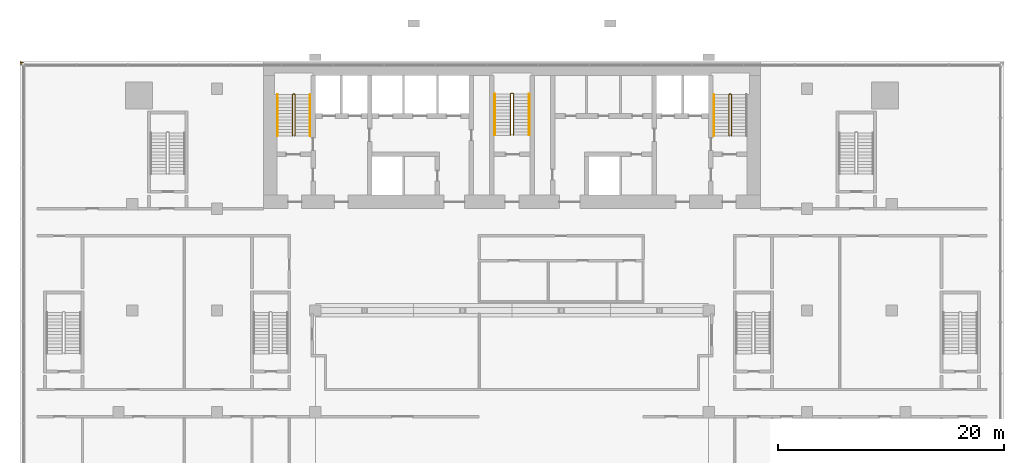
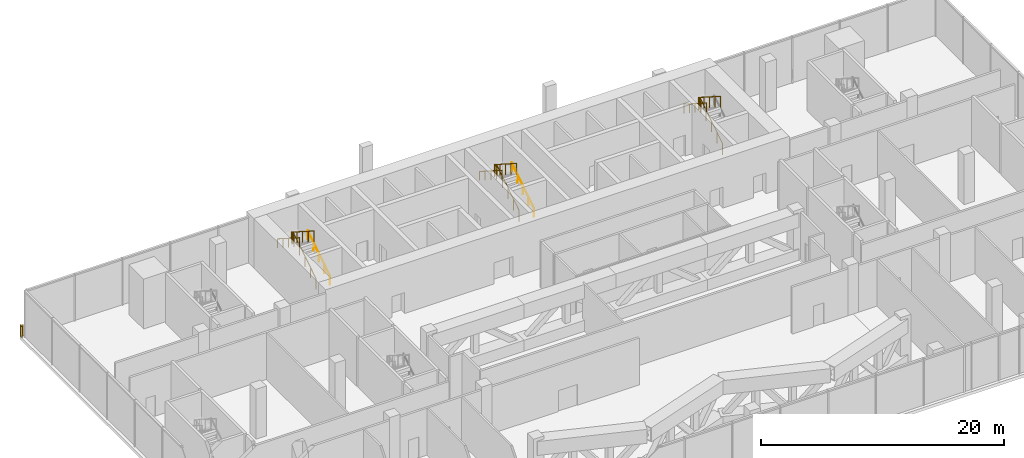
# One storey, part 21 of 22: 9 railings.
"""IFC4 building model written with IfcOpenShell, lengths in metres."""

from ifc_helpers import new_model, si_unit, direction, frame, origin, origin_2d, place, context, subcontext, project, spatial, circle, extrude, material, type_object, element, save


model = new_model("IFC4")

# Units and contexts
model_context = context("Model", 3, precision=1e-05, world=origin(), true_north=direction((0.0, 1.0)))
body_context = subcontext(model_context, "Body", "Model", "MODEL_VIEW")
ifc_project = project(units=[si_unit("LENGTHUNIT", "METRE"), si_unit("AREAUNIT", "SQUARE_METRE"), si_unit("VOLUMEUNIT", "CUBIC_METRE"), si_unit("PLANEANGLEUNIT", "RADIAN"), si_unit("MASSUNIT", "GRAM", prefix="KILO")], contexts=[model_context])

# Site, building, storey
site_placement = place(None, origin())
site = spatial("IfcSite", under=ifc_project, at=site_placement, CompositionType="ELEMENT")
building_placement = place(site_placement, origin())
building = spatial("IfcBuilding", under=site, at=building_placement, Name="Bicima Exchange Tower", CompositionType="ELEMENT")
storey_placement = place(building_placement, frame((0.0, 0.0, 20.0)))
storey = spatial("IfcBuildingStorey", under=building, at=storey_placement, Name="L03", CompositionType="ELEMENT", Elevation=20.0)

# Railings
ifc_material_1 = material(Name="Stainless steel and bonded safety glass", Category="steel")
railing_type_1 = type_object("IfcRailingType", Name="Edge guard 1100", PredefinedType="GUARDRAIL", material=ifc_material_1)
railing_1_placement = place(storey_placement, frame((-43.449951171875, -0.25, 0.0)))
element("IfcRailing", 1, at=railing_1_placement, inside=storey, type_object=railing_type_1, Name="Edge guard L03 9", PredefinedType="GUARDRAIL", context=body_context, shape_type="SweptSolid", body=[
    extrude(circle(Radius=0.02392578125, at=origin_2d()), frame((0.0, 0.0, 1.076171875), z_axis=(0.0, 1.0, 0.0), x_axis=(-1.0, 0.0, 0.0)), (0.0, 0.0, 1.0), 0.25),
    extrude(circle(Radius=0.02392578125, at=origin_2d()), frame((0.0, 0.25, 1.076171875), z_axis=(-0.707106781187, -0.707106781187, 0.0), x_axis=(0.707106781187, -0.707106781187, 0.0)), (0.0, 0.0, 1.0), 0.07080078125),
    extrude(circle(Radius=0.02392578125, at=origin_2d()), frame((-0.050048828125, 0.199951171875, 1.076171875), z_axis=(1.0, 0.0, 0.0), x_axis=(0.0, 1.0, 0.0)), (0.0, 0.0, 1.0), 0.25),
    extrude(circle(Radius=0.02099609375, at=origin_2d()), origin(), (0.0, 0.0, 1.0), 1.052001953125),
    extrude(circle(Radius=0.02099609375, at=origin_2d()), frame((0.0, 0.25, 0.0)), (0.0, 0.0, 1.0), 1.052001953125),
    extrude(circle(Radius=0.02099609375, at=origin_2d()), frame((-0.050048828125, 0.199951171875, 0.0)), (0.0, 0.0, 1.0), 1.052001953125),
    extrude(circle(Radius=0.02099609375, at=origin_2d()), frame((0.199951171875, 0.199951171875, 0.0)), (0.0, 0.0, 1.0), 1.052001953125),
])
ifc_material_2 = material(Name="Stainless steel", Category="steel")
railing_type_2 = type_object("IfcRailingType", Name="Stair guard 1100", PredefinedType="GUARDRAIL", material=ifc_material_2)
railing_2_placement = place(storey_placement, frame((-19.199951171875, -6.550048828125, 0.178466796875)))
element("IfcRailing", 2, at=railing_2_placement, inside=storey, type_object=railing_type_2, Name="L03 ST-W stair guard 1", PredefinedType="GUARDRAIL", context=body_context, shape_type="SweptSolid", body=[
    extrude(circle(Radius=0.02392578125, at=origin_2d()), frame((0.0, 0.0, 1.076171875), z_axis=(0.0, 0.843127859045, 0.537713132908), x_axis=(-1.0, 0.0, 0.0)), (0.0, 0.0, 1.0), 4.3173828125),
    extrude(circle(Radius=0.02392578125, at=origin_2d()), frame((0.0, 3.64013671875, 3.3974609375), z_axis=(-0.708833529934, 0.705375805398, 0.0), x_axis=(-0.705375805398, -0.708833529934, 0.0)), (0.0, 0.0, 1.0), 0.070556640625),
    extrude(circle(Radius=0.02392578125, at=origin_2d()), frame((-0.050048828125, 3.68994140625, 3.3974609375), z_axis=(-1.0, 0.0, 0.0), x_axis=(0.0, -1.0, 0.0)), (0.0, 0.0, 1.0), 0.10009765625),
    extrude(circle(Radius=0.02392578125, at=origin_2d()), frame((-0.150146484375, 3.68994140625, 3.3974609375), z_axis=(-0.259584636361, -0.259584636361, 0.930178280294), x_axis=(0.707106781187, -0.707106781187, 0.0)), (0.0, 0.0, 1.0), 0.19189453125),
    extrude(circle(Radius=0.02392578125, at=origin_2d()), frame((-0.199951171875, 3.64013671875, 3.576171875), z_axis=(0.0, -0.843127859045, 0.537713132908), x_axis=(1.0, 0.0, 0.0)), (0.0, 0.0, 1.0), 4.3173828125),
    extrude(circle(Radius=0.02099609375, at=origin_2d()), origin(), (0.0, 0.0, 1.0), 1.052001953125),
    extrude(circle(Radius=0.02099609375, at=origin_2d()), frame((0.0, 0.91015625, 0.580322265625)), (0.0, 0.0, 1.0), 1.052001953125),
    extrude(circle(Radius=0.02099609375, at=origin_2d()), frame((0.0, 1.820068359375, 1.16064453125)), (0.0, 0.0, 1.0), 1.052001953125),
    extrude(circle(Radius=0.02099609375, at=origin_2d()), frame((0.0, 2.72998046875, 1.7412109375)), (0.0, 0.0, 1.0), 1.052001953125),
    extrude(circle(Radius=0.02099609375, at=origin_2d()), frame((0.0, 3.64013671875, 2.321533203125)), (0.0, 0.0, 1.0), 1.052001953125),
    extrude(circle(Radius=0.02099609375, at=origin_2d()), frame((-0.050048828125, 3.68994140625, 2.321533203125)), (0.0, 0.0, 1.0), 1.052001953125),
    extrude(circle(Radius=0.02099609375, at=origin_2d()), frame((-0.150146484375, 3.68994140625, 2.321533203125)), (0.0, 0.0, 1.0), 1.052001953125),
    extrude(circle(Radius=0.02099609375, at=origin_2d()), frame((-0.199951171875, 3.64013671875, 2.5)), (0.0, 0.0, 1.0), 1.052001953125),
    extrude(circle(Radius=0.02099609375, at=origin_2d()), frame((-0.199951171875, 2.72998046875, 3.080322265625)), (0.0, 0.0, 1.0), 1.052001953125),
    extrude(circle(Radius=0.02099609375, at=origin_2d()), frame((-0.199951171875, 1.820068359375, 3.66064453125)), (0.0, 0.0, 1.0), 1.052001953125),
    extrude(circle(Radius=0.02099609375, at=origin_2d()), frame((-0.199951171875, 0.91015625, 4.2412109375)), (0.0, 0.0, 1.0), 1.052001953125),
    extrude(circle(Radius=0.02099609375, at=origin_2d()), frame((-0.199951171875, 0.0, 4.821533203125)), (0.0, 0.0, 1.0), 1.052001953125),
])
railing_3_placement = place(storey_placement, frame((0.125, -6.5, 0.178466796875)))
element("IfcRailing", 3, at=railing_3_placement, inside=storey, type_object=railing_type_2, Name="L03 ST-C stair guard 1", PredefinedType="GUARDRAIL", context=body_context, shape_type="SweptSolid", body=[
    extrude(circle(Radius=0.02392578125, at=origin_2d()), frame((0.0, 0.0, 1.076171875), z_axis=(0.0, 0.843111507901, 0.53773877045), x_axis=(-1.0, 0.0, 0.0)), (0.0, 0.0, 1.0), 4.317138671875),
    extrude(circle(Radius=0.02392578125, at=origin_2d()), frame((0.0, 3.639892578125, 3.3974609375), z_axis=(-0.707106781187, 0.707106781187, 0.0), x_axis=(-0.707106781187, -0.707106781187, 0.0)), (0.0, 0.0, 1.0), 0.07080078125),
    extrude(circle(Radius=0.02392578125, at=origin_2d()), frame((-0.050048828125, 3.68994140625, 3.3974609375), z_axis=(-1.0, 0.0, 0.0), x_axis=(0.0, -1.0, 0.0)), (0.0, 0.0, 1.0), 0.14990234375),
    extrude(circle(Radius=0.02392578125, at=origin_2d()), frame((-0.199951171875, 3.68994140625, 3.3974609375), z_axis=(-0.260684529273, -0.260684529273, 0.929562882432), x_axis=(0.707106781187, -0.707106781187, 0.0)), (0.0, 0.0, 1.0), 0.19189453125),
    extrude(circle(Radius=0.02392578125, at=origin_2d()), frame((-0.25, 3.639892578125, 3.576171875), z_axis=(0.0, -0.843111507901, 0.53773877045), x_axis=(1.0, 0.0, 0.0)), (0.0, 0.0, 1.0), 4.317138671875),
    extrude(circle(Radius=0.02099609375, at=origin_2d()), origin(), (0.0, 0.0, 1.0), 1.052001953125),
    extrude(circle(Radius=0.02099609375, at=origin_2d()), frame((0.0, 0.909912109375, 0.580322265625)), (0.0, 0.0, 1.0), 1.052001953125),
    extrude(circle(Radius=0.02099609375, at=origin_2d()), frame((0.0, 1.81982421875, 1.16064453125)), (0.0, 0.0, 1.0), 1.052001953125),
    extrude(circle(Radius=0.02099609375, at=origin_2d()), frame((0.0, 2.72998046875, 1.7412109375)), (0.0, 0.0, 1.0), 1.052001953125),
    extrude(circle(Radius=0.02099609375, at=origin_2d()), frame((0.0, 3.639892578125, 2.321533203125)), (0.0, 0.0, 1.0), 1.052001953125),
    extrude(circle(Radius=0.02099609375, at=origin_2d()), frame((-0.050048828125, 3.68994140625, 2.321533203125)), (0.0, 0.0, 1.0), 1.052001953125),
    extrude(circle(Radius=0.02099609375, at=origin_2d()), frame((-0.199951171875, 3.68994140625, 2.321533203125)), (0.0, 0.0, 1.0), 1.052001953125),
    extrude(circle(Radius=0.02099609375, at=origin_2d()), frame((-0.25, 3.639892578125, 2.5)), (0.0, 0.0, 1.0), 1.052001953125),
    extrude(circle(Radius=0.02099609375, at=origin_2d()), frame((-0.25, 2.72998046875, 3.080322265625)), (0.0, 0.0, 1.0), 1.052001953125),
    extrude(circle(Radius=0.02099609375, at=origin_2d()), frame((-0.25, 1.81982421875, 3.66064453125)), (0.0, 0.0, 1.0), 1.052001953125),
    extrude(circle(Radius=0.02099609375, at=origin_2d()), frame((-0.25, 0.909912109375, 4.2412109375)), (0.0, 0.0, 1.0), 1.052001953125),
    extrude(circle(Radius=0.02099609375, at=origin_2d()), frame((-0.25, 0.0, 4.821533203125)), (0.0, 0.0, 1.0), 1.052001953125),
])
railing_4_placement = place(storey_placement, frame((19.39990234375, -6.550048828125, 0.178466796875)))
element("IfcRailing", 4, at=railing_4_placement, inside=storey, type_object=railing_type_2, Name="L03 ST-E stair guard 1", PredefinedType="GUARDRAIL", context=body_context, shape_type="SweptSolid", body=[
    extrude(circle(Radius=0.02392578125, at=origin_2d()), frame((0.0, 0.0, 1.076171875), z_axis=(0.0, 0.843127859045, 0.537713132908), x_axis=(-1.0, 0.0, 0.0)), (0.0, 0.0, 1.0), 4.3173828125),
    extrude(circle(Radius=0.02392578125, at=origin_2d()), frame((0.0, 3.64013671875, 3.3974609375), z_axis=(-0.707106781187, 0.707106781187, 0.0), x_axis=(-0.707106781187, -0.707106781187, 0.0)), (0.0, 0.0, 1.0), 0.0703125),
    extrude(circle(Radius=0.02392578125, at=origin_2d()), frame((-0.0498046875, 3.68994140625, 3.3974609375), z_axis=(-1.0, 0.0, 0.0), x_axis=(0.0, -1.0, 0.0)), (0.0, 0.0, 1.0), 0.10009765625),
    extrude(circle(Radius=0.02392578125, at=origin_2d()), frame((-0.14990234375, 3.68994140625, 3.3974609375), z_axis=(-0.26077077684, -0.25949872427, 0.929870428634), x_axis=(0.705375805398, -0.708833529934, 0.0)), (0.0, 0.0, 1.0), 0.19189453125),
    extrude(circle(Radius=0.02392578125, at=origin_2d()), frame((-0.199951171875, 3.64013671875, 3.576171875), z_axis=(0.0, -0.843127859045, 0.537713132908), x_axis=(1.0, 0.0, 0.0)), (0.0, 0.0, 1.0), 4.3173828125),
    extrude(circle(Radius=0.02099609375, at=origin_2d()), origin(), (0.0, 0.0, 1.0), 1.052001953125),
    extrude(circle(Radius=0.02099609375, at=origin_2d()), frame((0.0, 0.91015625, 0.580322265625)), (0.0, 0.0, 1.0), 1.052001953125),
    extrude(circle(Radius=0.02099609375, at=origin_2d()), frame((0.0, 1.820068359375, 1.16064453125)), (0.0, 0.0, 1.0), 1.052001953125),
    extrude(circle(Radius=0.02099609375, at=origin_2d()), frame((0.0, 2.72998046875, 1.7412109375)), (0.0, 0.0, 1.0), 1.052001953125),
    extrude(circle(Radius=0.02099609375, at=origin_2d()), frame((0.0, 3.64013671875, 2.321533203125)), (0.0, 0.0, 1.0), 1.052001953125),
    extrude(circle(Radius=0.02099609375, at=origin_2d()), frame((-0.0498046875, 3.68994140625, 2.321533203125)), (0.0, 0.0, 1.0), 1.052001953125),
    extrude(circle(Radius=0.02099609375, at=origin_2d()), frame((-0.14990234375, 3.68994140625, 2.321533203125)), (0.0, 0.0, 1.0), 1.052001953125),
    extrude(circle(Radius=0.02099609375, at=origin_2d()), frame((-0.199951171875, 3.64013671875, 2.5)), (0.0, 0.0, 1.0), 1.052001953125),
    extrude(circle(Radius=0.02099609375, at=origin_2d()), frame((-0.199951171875, 2.72998046875, 3.080322265625)), (0.0, 0.0, 1.0), 1.052001953125),
    extrude(circle(Radius=0.02099609375, at=origin_2d()), frame((-0.199951171875, 1.820068359375, 3.66064453125)), (0.0, 0.0, 1.0), 1.052001953125),
    extrude(circle(Radius=0.02099609375, at=origin_2d()), frame((-0.199951171875, 0.91015625, 4.2412109375)), (0.0, 0.0, 1.0), 1.052001953125),
    extrude(circle(Radius=0.02099609375, at=origin_2d()), frame((-0.199951171875, 0.0, 4.821533203125)), (0.0, 0.0, 1.0), 1.052001953125),
])
railing_type_3 = type_object("IfcRailingType", Name="Stair handrail 900", PredefinedType="HANDRAIL", material=ifc_material_2)
railing_5_placement = place(storey_placement, frame((-17.85009765625, -6.550048828125, 0.178466796875)))
element("IfcRailing", 5, at=railing_5_placement, inside=storey, type_object=railing_type_3, Name="L03 ST-W stair handrail 1", PredefinedType="HANDRAIL", context=body_context, shape_type="SweptSolid", body=[
    extrude(circle(Radius=0.02392578125, at=origin_2d()), frame((0.0, 0.0, 0.8759765625), z_axis=(0.0, 0.843127859045, 0.537713132908), x_axis=(-1.0, 0.0, 0.0)), (0.0, 0.0, 1.0), 4.3173828125),
    extrude(circle(Radius=0.02099609375, at=origin_2d()), origin(), (0.0, 0.0, 1.0), 0.851806640625),
    extrude(circle(Radius=0.02099609375, at=origin_2d()), frame((0.0, 0.91015625, 0.580322265625)), (0.0, 0.0, 1.0), 0.851806640625),
    extrude(circle(Radius=0.02099609375, at=origin_2d()), frame((0.0, 1.820068359375, 1.16064453125)), (0.0, 0.0, 1.0), 0.851806640625),
    extrude(circle(Radius=0.02099609375, at=origin_2d()), frame((0.0, 2.72998046875, 1.7412109375)), (0.0, 0.0, 1.0), 0.851806640625),
    extrude(circle(Radius=0.02099609375, at=origin_2d()), frame((0.0, 3.64013671875, 2.321533203125)), (0.0, 0.0, 1.0), 0.851806640625),
])
railing_6_placement = place(storey_placement, frame((-20.75, -2.909912109375, 2.678466796875)))
element("IfcRailing", 6, at=railing_6_placement, inside=storey, type_object=railing_type_3, Name="L03 ST-W stair handrail 2", PredefinedType="HANDRAIL", context=body_context, shape_type="SweptSolid", body=[
    extrude(circle(Radius=0.02392578125, at=origin_2d()), frame((0.0, 0.0, 0.8759765625), z_axis=(0.0, -0.843127859045, 0.537713132908), x_axis=(1.0, 0.0, 0.0)), (0.0, 0.0, 1.0), 4.3173828125),
    extrude(circle(Radius=0.02099609375, at=origin_2d()), origin(), (0.0, 0.0, 1.0), 0.851806640625),
    extrude(circle(Radius=0.02099609375, at=origin_2d()), frame((0.0, -0.91015625, 0.580322265625)), (0.0, 0.0, 1.0), 0.851806640625),
    extrude(circle(Radius=0.02099609375, at=origin_2d()), frame((0.0, -1.820068359375, 1.16064453125)), (0.0, 0.0, 1.0), 0.851806640625),
    extrude(circle(Radius=0.02099609375, at=origin_2d()), frame((0.0, -2.72998046875, 1.7412109375)), (0.0, 0.0, 1.0), 0.851806640625),
    extrude(circle(Radius=0.02099609375, at=origin_2d()), frame((0.0, -3.64013671875, 2.321533203125)), (0.0, 0.0, 1.0), 0.851806640625),
])
railing_7_placement = place(storey_placement, frame((1.52490234375, -6.5, 0.178466796875)))
element("IfcRailing", 7, at=railing_7_placement, inside=storey, type_object=railing_type_3, Name="L03 ST-C stair handrail 1", PredefinedType="HANDRAIL", context=body_context, shape_type="SweptSolid", body=[
    extrude(circle(Radius=0.02392578125, at=origin_2d()), frame((0.0, 0.0, 0.8759765625), z_axis=(0.0, 0.843111507901, 0.53773877045), x_axis=(-1.0, 0.0, 0.0)), (0.0, 0.0, 1.0), 4.317138671875),
    extrude(circle(Radius=0.02099609375, at=origin_2d()), origin(), (0.0, 0.0, 1.0), 0.851806640625),
    extrude(circle(Radius=0.02099609375, at=origin_2d()), frame((0.0, 0.909912109375, 0.580322265625)), (0.0, 0.0, 1.0), 0.851806640625),
    extrude(circle(Radius=0.02099609375, at=origin_2d()), frame((0.0, 1.81982421875, 1.16064453125)), (0.0, 0.0, 1.0), 0.851806640625),
    extrude(circle(Radius=0.02099609375, at=origin_2d()), frame((0.0, 2.72998046875, 1.7412109375)), (0.0, 0.0, 1.0), 0.851806640625),
    extrude(circle(Radius=0.02099609375, at=origin_2d()), frame((0.0, 3.639892578125, 2.321533203125)), (0.0, 0.0, 1.0), 0.851806640625),
])
railing_8_placement = place(storey_placement, frame((-1.52490234375, -2.860107421875, 2.678466796875)))
element("IfcRailing", 8, at=railing_8_placement, inside=storey, type_object=railing_type_3, Name="L03 ST-C stair handrail 2", PredefinedType="HANDRAIL", context=body_context, shape_type="SweptSolid", body=[
    extrude(circle(Radius=0.02392578125, at=origin_2d()), frame((0.0, 0.0, 0.8759765625), z_axis=(0.0, -0.843111507901, 0.53773877045), x_axis=(1.0, 0.0, 0.0)), (0.0, 0.0, 1.0), 4.317138671875),
    extrude(circle(Radius=0.02099609375, at=origin_2d()), origin(), (0.0, 0.0, 1.0), 0.851806640625),
    extrude(circle(Radius=0.02099609375, at=origin_2d()), frame((0.0, -0.909912109375, 0.580322265625)), (0.0, 0.0, 1.0), 0.851806640625),
    extrude(circle(Radius=0.02099609375, at=origin_2d()), frame((0.0, -1.81982421875, 1.16064453125)), (0.0, 0.0, 1.0), 0.851806640625),
    extrude(circle(Radius=0.02099609375, at=origin_2d()), frame((0.0, -2.72998046875, 1.7412109375)), (0.0, 0.0, 1.0), 0.851806640625),
    extrude(circle(Radius=0.02099609375, at=origin_2d()), frame((0.0, -3.639892578125, 2.321533203125)), (0.0, 0.0, 1.0), 0.851806640625),
])
railing_9_placement = place(storey_placement, frame((17.85009765625, -2.909912109375, 2.678466796875)))
element("IfcRailing", 9, at=railing_9_placement, inside=storey, type_object=railing_type_3, Name="L03 ST-E stair handrail 2", PredefinedType="HANDRAIL", context=body_context, shape_type="SweptSolid", body=[
    extrude(circle(Radius=0.02392578125, at=origin_2d()), frame((0.0, 0.0, 0.8759765625), z_axis=(0.0, -0.843127859045, 0.537713132908), x_axis=(1.0, 0.0, 0.0)), (0.0, 0.0, 1.0), 4.3173828125),
    extrude(circle(Radius=0.02099609375, at=origin_2d()), origin(), (0.0, 0.0, 1.0), 0.851806640625),
    extrude(circle(Radius=0.02099609375, at=origin_2d()), frame((0.0, -0.91015625, 0.580322265625)), (0.0, 0.0, 1.0), 0.851806640625),
    extrude(circle(Radius=0.02099609375, at=origin_2d()), frame((0.0, -1.820068359375, 1.16064453125)), (0.0, 0.0, 1.0), 0.851806640625),
    extrude(circle(Radius=0.02099609375, at=origin_2d()), frame((0.0, -2.72998046875, 1.7412109375)), (0.0, 0.0, 1.0), 0.851806640625),
    extrude(circle(Radius=0.02099609375, at=origin_2d()), frame((0.0, -3.64013671875, 2.321533203125)), (0.0, 0.0, 1.0), 0.851806640625),
])

save(model, "model.ifc")
